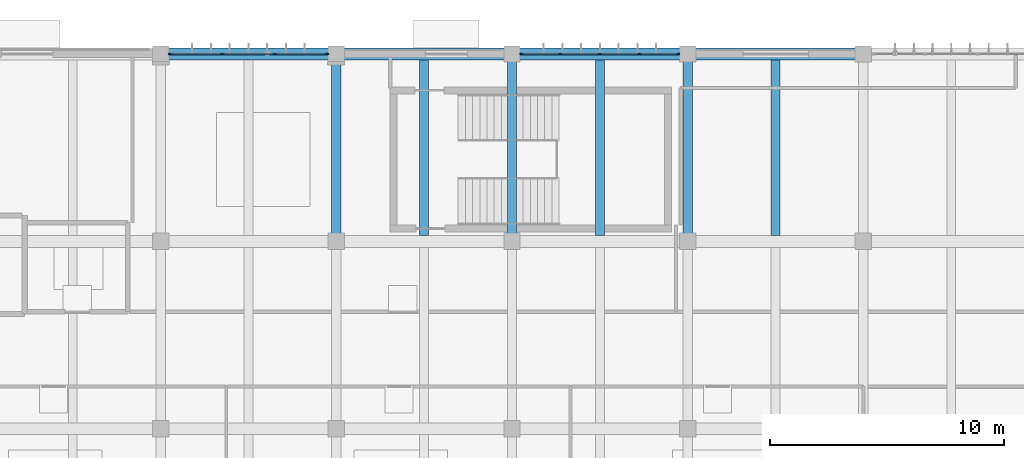
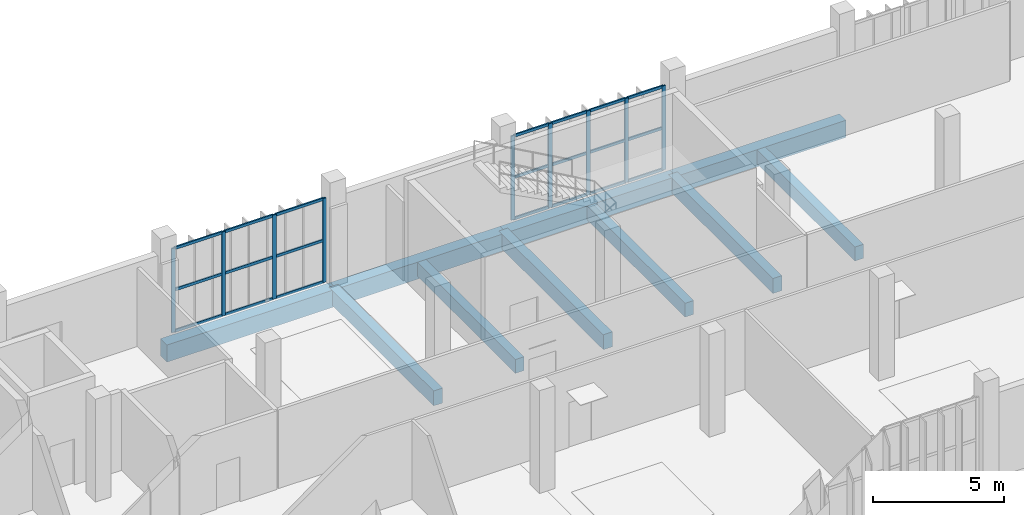
# One storey, part 21 of 72: 30 members, 10 beams, 2 elements without a shape of their own.
"""IFC4 building model written with IfcOpenShell, lengths in metres."""

from ifc_helpers import new_model, si_unit, direction, frame, origin, origin_2d, place, context, subcontext, project, spatial, rectangle, extrude, material, material_profile, profile_set, type_object, element, aggregate, save


model = new_model("IFC4")

# Units and contexts
model_context = context("Model", 3, precision=1e-05, world=origin(), true_north=direction((0.0, 1.0)))
body_context = subcontext(model_context, "Body", "Model", "MODEL_VIEW")
ifc_project = project(units=[si_unit("LENGTHUNIT", "METRE"), si_unit("AREAUNIT", "SQUARE_METRE"), si_unit("VOLUMEUNIT", "CUBIC_METRE"), si_unit("PLANEANGLEUNIT", "RADIAN"), si_unit("MASSUNIT", "GRAM", prefix="KILO")], contexts=[model_context])

# Site, building, storey
site_placement = place(None, origin())
site = spatial("IfcSite", under=ifc_project, at=site_placement, CompositionType="ELEMENT")
building_placement = place(site_placement, origin())
building = spatial("IfcBuilding", under=site, at=building_placement, Name="Vourika Railside Aquatics Centre", CompositionType="ELEMENT")
storey_placement = place(building_placement, origin())
storey = spatial("IfcBuildingStorey", under=building, at=storey_placement, Name="L00", CompositionType="ELEMENT", Elevation=0.0)

# Beams
ifc_material_1 = material(Name="Concrete C35/45", Category="concrete")
ifc_material_profile_1 = material_profile(ifc_material_1, rectangle(XDim=0.39990234375, YDim=0.699951171875, at=origin_2d()), Name="RC 400x700")
ifc_profile_set_1 = profile_set([ifc_material_profile_1], Name="Concrete C35/45")
beam_type_1 = type_object("IfcBeamType", Name="BM-GIRD-400x700", PredefinedType="BEAM", material=ifc_profile_set_1)
for number, where, z_axis, x_axis, name in (
    (1, (73.5, 108.0, -0.669921875), (0.0, 1.0, 0.0), (-1.0, 0.0, 0.0), "Floor Girder GY-L00-251"),
    (2, (81.0, 108.0, -0.669921875), (0.0, 1.0, 0.0), (-1.0, 0.0, 0.0), "Floor Girder GY-L00-258"),
    (3, (88.5, 108.0, -0.669921875), (0.0, 1.0, 0.0), (-1.0, 0.0, 0.0), "Floor Girder GY-L00-266"),
):
    element("IfcBeam", number, at=place(storey_placement, frame(where, z_axis=z_axis, x_axis=x_axis)), inside=storey, type_object=beam_type_1, Name=name, PredefinedType="BEAM", context=body_context, shape_type="SweptSolid", body=[
        extrude(rectangle(XDim=0.39990234375, YDim=0.699951171875, at=origin_2d()), origin(), (0.0, 0.0, 1.0), 8.0),
    ])
ifc_material_profile_2 = material_profile(ifc_material_1, rectangle(XDim=0.3798828125, YDim=0.64990234375, at=origin_2d()), Name="RC 380x650")
ifc_profile_set_2 = profile_set([ifc_material_profile_2], Name="Concrete C35/45")
beam_type_2 = type_object("IfcBeamType", Name="BM-SEC-380x650", PredefinedType="JOIST", material=ifc_profile_set_2)
for number, where, z_axis, x_axis, name in (
    (4, (77.25, 108.25, -0.64501953125), (0.0, 1.0, 0.0), (-1.0, 0.0, 0.0), "Secondary Joist JY-L00-467"),
    (5, (84.75, 108.25, -0.64501953125), (0.0, 1.0, 0.0), (-1.0, 0.0, 0.0), "Secondary Joist JY-L00-468"),
    (6, (92.25, 108.25, -0.64501953125), (0.0, 1.0, 0.0), (-1.0, 0.0, 0.0), "Secondary Joist JY-L00-469"),
):
    element("IfcBeam", number, at=place(storey_placement, frame(where, z_axis=z_axis, x_axis=x_axis)), inside=storey, type_object=beam_type_2, Name=name, PredefinedType="JOIST", context=body_context, shape_type="SweptSolid", body=[
        extrude(rectangle(XDim=0.3798828125, YDim=0.64990234375, at=origin_2d()), origin(), (0.0, 0.0, 1.0), 7.5),
    ])
ifc_material_2 = material(Name="Concrete C40/50", Category="concrete")
ifc_material_profile_3 = material_profile(ifc_material_2, rectangle(XDim=0.5, YDim=0.800048828125, at=origin_2d()), Name="RC 500x800")
ifc_profile_set_3 = profile_set([ifc_material_profile_3], Name="Concrete C40/50")
beam_type_3 = type_object("IfcBeamType", Name="BM-TIE-500x800", PredefinedType="BEAM", material=ifc_profile_set_3)
for number, where, z_axis, x_axis, name in (
    (7, (66.0, 116.0, -0.719970703125), (1.0, 0.0, 0.0), (0.0, 1.0, 0.0), "Floor Beam GX-L00-179"),
    (8, (73.5, 116.0, -0.719970703125), (1.0, 0.0, 0.0), (0.0, 1.0, 0.0), "Floor Beam GX-L00-180"),
    (9, (81.0, 116.0, -0.719970703125), (1.0, 0.0, 0.0), (0.0, 1.0, 0.0), "Floor Beam GX-L00-181"),
    (10, (88.5, 116.0, -0.719970703125), (1.0, 0.0, 0.0), (0.0, 1.0, 0.0), "Floor Beam GX-L00-182"),
):
    element("IfcBeam", number, at=place(storey_placement, frame(where, z_axis=z_axis, x_axis=x_axis)), inside=storey, type_object=beam_type_3, Name=name, PredefinedType="BEAM", context=body_context, shape_type="SweptSolid", body=[
        extrude(rectangle(XDim=0.5, YDim=0.800048828125, at=origin_2d()), origin(), (0.0, 0.0, 1.0), 7.5),
    ])

# Curtain wall, members
ifc_material_3 = material(Name="Anodized thermally broken aluminium", Category="aluminium")
curtain_wall_type = type_object("IfcCurtainWallType", Name="CW-FIT0", PredefinedType="NOTDEFINED", material=ifc_material_3)
curtain_wall_1_placement = place(storey_placement, origin())
curtain_wall_1 = element("IfcCurtainWall", 11, at=curtain_wall_1_placement, inside=storey, type_object=curtain_wall_type, Name="North Boulevard Curtain Wall L00-7", PredefinedType="NOTDEFINED")
ifc_material_4 = material(Name="Anodized aluminium mullion", Category="aluminium")
ifc_material_profile_4 = material_profile(ifc_material_4, rectangle(XDim=0.06494140625, YDim=0.1640625, at=origin_2d()), Name="ALU-M 65x164")
ifc_profile_set_4 = profile_set([ifc_material_profile_4], Name="Anodized aluminium mullion")
member_type_1 = type_object("IfcMemberType", Name="CWM-FIT0", PredefinedType="MULLION", material=ifc_profile_set_4)
member_1_placement = place(storey_placement, frame((73.08740234375, 116.0, 0.0), z_axis=(0.0, 0.0, 1.0), x_axis=(0.0, -1.0, 0.0)))
member_1 = element("IfcMember", 12, at=member_1_placement, type_object=member_type_1, Name="CW14 mullion 1", PredefinedType="MULLION", context=body_context, shape_type="SweptSolid", body=[
    extrude(rectangle(XDim=0.06494140625, YDim=0.1640625, at=origin_2d()), origin(), (0.0, 0.0, 1.0), 3.929931640625),
])
member_2_placement = place(storey_placement, frame((70.873291015625, 116.0, 0.0), z_axis=(0.0, 0.0, 1.0), x_axis=(0.0, -1.0, 0.0)))
member_2 = element("IfcMember", 13, at=member_2_placement, type_object=member_type_1, Name="CW14 mullion 2", PredefinedType="MULLION", context=body_context, shape_type="SweptSolid", body=[
    extrude(rectangle(XDim=0.06494140625, YDim=0.1640625, at=origin_2d()), origin(), (0.0, 0.0, 1.0), 3.929931640625),
])
member_3_placement = place(storey_placement, frame((68.626708984375, 116.0, 0.0), z_axis=(0.0, 0.0, 1.0), x_axis=(0.0, -1.0, 0.0)))
member_3 = element("IfcMember", 14, at=member_3_placement, type_object=member_type_1, Name="CW14 mullion 3", PredefinedType="MULLION", context=body_context, shape_type="SweptSolid", body=[
    extrude(rectangle(XDim=0.06494140625, YDim=0.1640625, at=origin_2d()), origin(), (0.0, 0.0, 1.0), 3.929931640625),
])
member_4_placement = place(storey_placement, frame((66.41259765625, 116.0, 0.0), z_axis=(0.0, 0.0, 1.0), x_axis=(0.0, -1.0, 0.0)))
member_4 = element("IfcMember", 15, at=member_4_placement, type_object=member_type_1, Name="CW14 mullion 4", PredefinedType="MULLION", context=body_context, shape_type="SweptSolid", body=[
    extrude(rectangle(XDim=0.06494140625, YDim=0.1640625, at=origin_2d()), origin(), (0.0, 0.0, 1.0), 3.929931640625),
])

curtain_wall_2_placement = place(storey_placement, origin())
curtain_wall_2 = element("IfcCurtainWall", 16, at=curtain_wall_2_placement, inside=storey, type_object=curtain_wall_type, Name="North Boulevard Curtain Wall L00-9", PredefinedType="NOTDEFINED")
member_5_placement = place(storey_placement, frame((88.08740234375, 116.0, 0.0), z_axis=(0.0, 0.0, 1.0), x_axis=(0.0, -1.0, 0.0)))
member_5 = element("IfcMember", 17, at=member_5_placement, type_object=member_type_1, Name="CW14 mullion 1", PredefinedType="MULLION", context=body_context, shape_type="SweptSolid", body=[
    extrude(rectangle(XDim=0.06494140625, YDim=0.1640625, at=origin_2d()), origin(), (0.0, 0.0, 1.0), 3.929931640625),
])
member_6_placement = place(storey_placement, frame((86.43505859375, 116.0, 0.0), z_axis=(0.0, 0.0, 1.0), x_axis=(0.0, -1.0, 0.0)))
member_6 = element("IfcMember", 18, at=member_6_placement, type_object=member_type_1, Name="CW14 mullion 2", PredefinedType="MULLION", context=body_context, shape_type="SweptSolid", body=[
    extrude(rectangle(XDim=0.06494140625, YDim=0.1640625, at=origin_2d()), origin(), (0.0, 0.0, 1.0), 3.929931640625),
])
member_7_placement = place(storey_placement, frame((84.75, 116.0, 0.0), z_axis=(0.0, 0.0, 1.0), x_axis=(0.0, -1.0, 0.0)))
member_7 = element("IfcMember", 19, at=member_7_placement, type_object=member_type_1, Name="CW14 mullion 3", PredefinedType="MULLION", context=body_context, shape_type="SweptSolid", body=[
    extrude(rectangle(XDim=0.06494140625, YDim=0.1640625, at=origin_2d()), origin(), (0.0, 0.0, 1.0), 3.929931640625),
])
member_8_placement = place(storey_placement, frame((83.06494140625, 116.0, 0.0), z_axis=(0.0, 0.0, 1.0), x_axis=(0.0, -1.0, 0.0)))
member_8 = element("IfcMember", 20, at=member_8_placement, type_object=member_type_1, Name="CW14 mullion 4", PredefinedType="MULLION", context=body_context, shape_type="SweptSolid", body=[
    extrude(rectangle(XDim=0.06494140625, YDim=0.1640625, at=origin_2d()), origin(), (0.0, 0.0, 1.0), 3.929931640625),
])
member_9_placement = place(storey_placement, frame((81.41259765625, 116.0, 0.0), z_axis=(0.0, 0.0, 1.0), x_axis=(0.0, -1.0, 0.0)))
member_9 = element("IfcMember", 21, at=member_9_placement, type_object=member_type_1, Name="CW14 mullion 5", PredefinedType="MULLION", context=body_context, shape_type="SweptSolid", body=[
    extrude(rectangle(XDim=0.06494140625, YDim=0.1640625, at=origin_2d()), origin(), (0.0, 0.0, 1.0), 3.929931640625),
])

# Member
ifc_material_5 = material(Name="Anodized aluminium transom", Category="aluminium")
ifc_material_profile_5 = material_profile(ifc_material_5, rectangle(XDim=0.06494140625, YDim=0.1279296875, at=origin_2d()), Name="ALU-T 65x128")
ifc_profile_set_5 = profile_set([ifc_material_profile_5], Name="Anodized aluminium transom")
member_type_2 = type_object("IfcMemberType", Name="CWT-FIT0", PredefinedType="USERDEFINED", material=ifc_profile_set_5)
member_10_placement = place(storey_placement, frame((73.054931640625, 116.0, 0.032470703125), z_axis=(-1.0, 0.0, 0.0), x_axis=(0.0, -1.0, 0.0)))
member_10 = element("IfcMember", 22, at=member_10_placement, type_object=member_type_2, Name="CW14 transom 1.1", ObjectType="TRANSOM", PredefinedType="USERDEFINED", context=body_context, shape_type="SweptSolid", body=[
    extrude(rectangle(XDim=0.06494140625, YDim=0.1279296875, at=origin_2d()), origin(), (0.0, 0.0, 1.0), 2.149169921875),
])

member_11_placement = place(storey_placement, frame((73.054931640625, 116.0, 1.965087890625), z_axis=(-1.0, 0.0, 0.0), x_axis=(0.0, -1.0, 0.0)))
member_11 = element("IfcMember", 23, at=member_11_placement, type_object=member_type_2, Name="CW14 transom 1.2", ObjectType="TRANSOM", PredefinedType="USERDEFINED", context=body_context, shape_type="SweptSolid", body=[
    extrude(rectangle(XDim=0.06494140625, YDim=0.1279296875, at=origin_2d()), origin(), (0.0, 0.0, 1.0), 2.149169921875),
])

member_12_placement = place(storey_placement, frame((73.054931640625, 116.0, 3.8974609375), z_axis=(-1.0, 0.0, 0.0), x_axis=(0.0, -1.0, 0.0)))
member_12 = element("IfcMember", 24, at=member_12_placement, type_object=member_type_2, Name="CW14 transom 1.3", ObjectType="TRANSOM", PredefinedType="USERDEFINED", context=body_context, shape_type="SweptSolid", body=[
    extrude(rectangle(XDim=0.06494140625, YDim=0.1279296875, at=origin_2d()), origin(), (0.0, 0.0, 1.0), 2.149169921875),
])

member_13_placement = place(storey_placement, frame((70.8408203125, 116.0, 0.032470703125), z_axis=(-1.0, 0.0, 0.0), x_axis=(0.0, -1.0, 0.0)))
member_13 = element("IfcMember", 25, at=member_13_placement, type_object=member_type_2, Name="CW14 transom 2.1", ObjectType="TRANSOM", PredefinedType="USERDEFINED", context=body_context, shape_type="SweptSolid", body=[
    extrude(rectangle(XDim=0.06494140625, YDim=0.1279296875, at=origin_2d()), origin(), (0.0, 0.0, 1.0), 2.181640625),
])

member_14_placement = place(storey_placement, frame((70.8408203125, 116.0, 1.965087890625), z_axis=(-1.0, 0.0, 0.0), x_axis=(0.0, -1.0, 0.0)))
member_14 = element("IfcMember", 26, at=member_14_placement, type_object=member_type_2, Name="CW14 transom 2.2", ObjectType="TRANSOM", PredefinedType="USERDEFINED", context=body_context, shape_type="SweptSolid", body=[
    extrude(rectangle(XDim=0.06494140625, YDim=0.1279296875, at=origin_2d()), origin(), (0.0, 0.0, 1.0), 2.181640625),
])

member_15_placement = place(storey_placement, frame((70.8408203125, 116.0, 3.8974609375), z_axis=(-1.0, 0.0, 0.0), x_axis=(0.0, -1.0, 0.0)))
member_15 = element("IfcMember", 27, at=member_15_placement, type_object=member_type_2, Name="CW14 transom 2.3", ObjectType="TRANSOM", PredefinedType="USERDEFINED", context=body_context, shape_type="SweptSolid", body=[
    extrude(rectangle(XDim=0.06494140625, YDim=0.1279296875, at=origin_2d()), origin(), (0.0, 0.0, 1.0), 2.181640625),
])

member_16_placement = place(storey_placement, frame((68.59423828125, 116.0, 0.032470703125), z_axis=(-1.0, 0.0, 0.0), x_axis=(0.0, -1.0, 0.0)))
member_16 = element("IfcMember", 28, at=member_16_placement, type_object=member_type_2, Name="CW14 transom 3.1", ObjectType="TRANSOM", PredefinedType="USERDEFINED", context=body_context, shape_type="SweptSolid", body=[
    extrude(rectangle(XDim=0.06494140625, YDim=0.1279296875, at=origin_2d()), origin(), (0.0, 0.0, 1.0), 2.149169921875),
])

member_17_placement = place(storey_placement, frame((68.59423828125, 116.0, 1.965087890625), z_axis=(-1.0, 0.0, 0.0), x_axis=(0.0, -1.0, 0.0)))
member_17 = element("IfcMember", 29, at=member_17_placement, type_object=member_type_2, Name="CW14 transom 3.2", ObjectType="TRANSOM", PredefinedType="USERDEFINED", context=body_context, shape_type="SweptSolid", body=[
    extrude(rectangle(XDim=0.06494140625, YDim=0.1279296875, at=origin_2d()), origin(), (0.0, 0.0, 1.0), 2.149169921875),
])

member_18_placement = place(storey_placement, frame((68.59423828125, 116.0, 3.8974609375), z_axis=(-1.0, 0.0, 0.0), x_axis=(0.0, -1.0, 0.0)))
member_18 = element("IfcMember", 30, at=member_18_placement, type_object=member_type_2, Name="CW14 transom 3.3", ObjectType="TRANSOM", PredefinedType="USERDEFINED", context=body_context, shape_type="SweptSolid", body=[
    extrude(rectangle(XDim=0.06494140625, YDim=0.1279296875, at=origin_2d()), origin(), (0.0, 0.0, 1.0), 2.149169921875),
])

aggregate(curtain_wall_1, [member_1, member_2, member_3, member_4, member_10, member_11, member_12, member_13, member_14, member_15, member_16, member_17, member_18])

member_19_placement = place(storey_placement, frame((88.054931640625, 116.0, 0.032470703125), z_axis=(-1.0, 0.0, 0.0), x_axis=(0.0, -1.0, 0.0)))
member_19 = element("IfcMember", 31, at=member_19_placement, type_object=member_type_2, Name="CW14 transom 1.1", ObjectType="TRANSOM", PredefinedType="USERDEFINED", context=body_context, shape_type="SweptSolid", body=[
    extrude(rectangle(XDim=0.06494140625, YDim=0.1279296875, at=origin_2d()), origin(), (0.0, 0.0, 1.0), 1.58740234375),
])

member_20_placement = place(storey_placement, frame((88.054931640625, 116.0, 1.965087890625), z_axis=(-1.0, 0.0, 0.0), x_axis=(0.0, -1.0, 0.0)))
member_20 = element("IfcMember", 32, at=member_20_placement, type_object=member_type_2, Name="CW14 transom 1.2", ObjectType="TRANSOM", PredefinedType="USERDEFINED", context=body_context, shape_type="SweptSolid", body=[
    extrude(rectangle(XDim=0.06494140625, YDim=0.1279296875, at=origin_2d()), origin(), (0.0, 0.0, 1.0), 1.58740234375),
])

member_21_placement = place(storey_placement, frame((88.054931640625, 116.0, 3.8974609375), z_axis=(-1.0, 0.0, 0.0), x_axis=(0.0, -1.0, 0.0)))
member_21 = element("IfcMember", 33, at=member_21_placement, type_object=member_type_2, Name="CW14 transom 1.3", ObjectType="TRANSOM", PredefinedType="USERDEFINED", context=body_context, shape_type="SweptSolid", body=[
    extrude(rectangle(XDim=0.06494140625, YDim=0.1279296875, at=origin_2d()), origin(), (0.0, 0.0, 1.0), 1.58740234375),
])

member_22_placement = place(storey_placement, frame((86.402587890625, 116.0, 0.032470703125), z_axis=(-1.0, 0.0, 0.0), x_axis=(0.0, -1.0, 0.0)))
member_22 = element("IfcMember", 34, at=member_22_placement, type_object=member_type_2, Name="CW14 transom 2.1", ObjectType="TRANSOM", PredefinedType="USERDEFINED", context=body_context, shape_type="SweptSolid", body=[
    extrude(rectangle(XDim=0.06494140625, YDim=0.1279296875, at=origin_2d()), origin(), (0.0, 0.0, 1.0), 1.6201171875),
])

member_23_placement = place(storey_placement, frame((86.402587890625, 116.0, 1.965087890625), z_axis=(-1.0, 0.0, 0.0), x_axis=(0.0, -1.0, 0.0)))
member_23 = element("IfcMember", 35, at=member_23_placement, type_object=member_type_2, Name="CW14 transom 2.2", ObjectType="TRANSOM", PredefinedType="USERDEFINED", context=body_context, shape_type="SweptSolid", body=[
    extrude(rectangle(XDim=0.06494140625, YDim=0.1279296875, at=origin_2d()), origin(), (0.0, 0.0, 1.0), 1.6201171875),
])

member_24_placement = place(storey_placement, frame((86.402587890625, 116.0, 3.8974609375), z_axis=(-1.0, 0.0, 0.0), x_axis=(0.0, -1.0, 0.0)))
member_24 = element("IfcMember", 36, at=member_24_placement, type_object=member_type_2, Name="CW14 transom 2.3", ObjectType="TRANSOM", PredefinedType="USERDEFINED", context=body_context, shape_type="SweptSolid", body=[
    extrude(rectangle(XDim=0.06494140625, YDim=0.1279296875, at=origin_2d()), origin(), (0.0, 0.0, 1.0), 1.6201171875),
])

member_25_placement = place(storey_placement, frame((84.717529296875, 116.0, 0.032470703125), z_axis=(-1.0, 0.0, 0.0), x_axis=(0.0, -1.0, 0.0)))
member_25 = element("IfcMember", 37, at=member_25_placement, type_object=member_type_2, Name="CW14 transom 3.1", ObjectType="TRANSOM", PredefinedType="USERDEFINED", context=body_context, shape_type="SweptSolid", body=[
    extrude(rectangle(XDim=0.06494140625, YDim=0.1279296875, at=origin_2d()), origin(), (0.0, 0.0, 1.0), 1.6201171875),
])

member_26_placement = place(storey_placement, frame((84.717529296875, 116.0, 1.965087890625), z_axis=(-1.0, 0.0, 0.0), x_axis=(0.0, -1.0, 0.0)))
member_26 = element("IfcMember", 38, at=member_26_placement, type_object=member_type_2, Name="CW14 transom 3.2", ObjectType="TRANSOM", PredefinedType="USERDEFINED", context=body_context, shape_type="SweptSolid", body=[
    extrude(rectangle(XDim=0.06494140625, YDim=0.1279296875, at=origin_2d()), origin(), (0.0, 0.0, 1.0), 1.6201171875),
])

member_27_placement = place(storey_placement, frame((84.717529296875, 116.0, 3.8974609375), z_axis=(-1.0, 0.0, 0.0), x_axis=(0.0, -1.0, 0.0)))
member_27 = element("IfcMember", 39, at=member_27_placement, type_object=member_type_2, Name="CW14 transom 3.3", ObjectType="TRANSOM", PredefinedType="USERDEFINED", context=body_context, shape_type="SweptSolid", body=[
    extrude(rectangle(XDim=0.06494140625, YDim=0.1279296875, at=origin_2d()), origin(), (0.0, 0.0, 1.0), 1.6201171875),
])

member_28_placement = place(storey_placement, frame((83.032470703125, 116.0, 0.032470703125), z_axis=(-1.0, 0.0, 0.0), x_axis=(0.0, -1.0, 0.0)))
member_28 = element("IfcMember", 40, at=member_28_placement, type_object=member_type_2, Name="CW14 transom 4.1", ObjectType="TRANSOM", PredefinedType="USERDEFINED", context=body_context, shape_type="SweptSolid", body=[
    extrude(rectangle(XDim=0.06494140625, YDim=0.1279296875, at=origin_2d()), origin(), (0.0, 0.0, 1.0), 1.58740234375),
])

member_29_placement = place(storey_placement, frame((83.032470703125, 116.0, 1.965087890625), z_axis=(-1.0, 0.0, 0.0), x_axis=(0.0, -1.0, 0.0)))
member_29 = element("IfcMember", 41, at=member_29_placement, type_object=member_type_2, Name="CW14 transom 4.2", ObjectType="TRANSOM", PredefinedType="USERDEFINED", context=body_context, shape_type="SweptSolid", body=[
    extrude(rectangle(XDim=0.06494140625, YDim=0.1279296875, at=origin_2d()), origin(), (0.0, 0.0, 1.0), 1.58740234375),
])

member_30_placement = place(storey_placement, frame((83.032470703125, 116.0, 3.8974609375), z_axis=(-1.0, 0.0, 0.0), x_axis=(0.0, -1.0, 0.0)))
member_30 = element("IfcMember", 42, at=member_30_placement, type_object=member_type_2, Name="CW14 transom 4.3", ObjectType="TRANSOM", PredefinedType="USERDEFINED", context=body_context, shape_type="SweptSolid", body=[
    extrude(rectangle(XDim=0.06494140625, YDim=0.1279296875, at=origin_2d()), origin(), (0.0, 0.0, 1.0), 1.58740234375),
])

aggregate(curtain_wall_2, [member_5, member_6, member_7, member_8, member_9, member_19, member_20, member_21, member_22, member_23, member_24, member_25, member_26, member_27, member_28, member_29, member_30])

save(model, "model.ifc")
